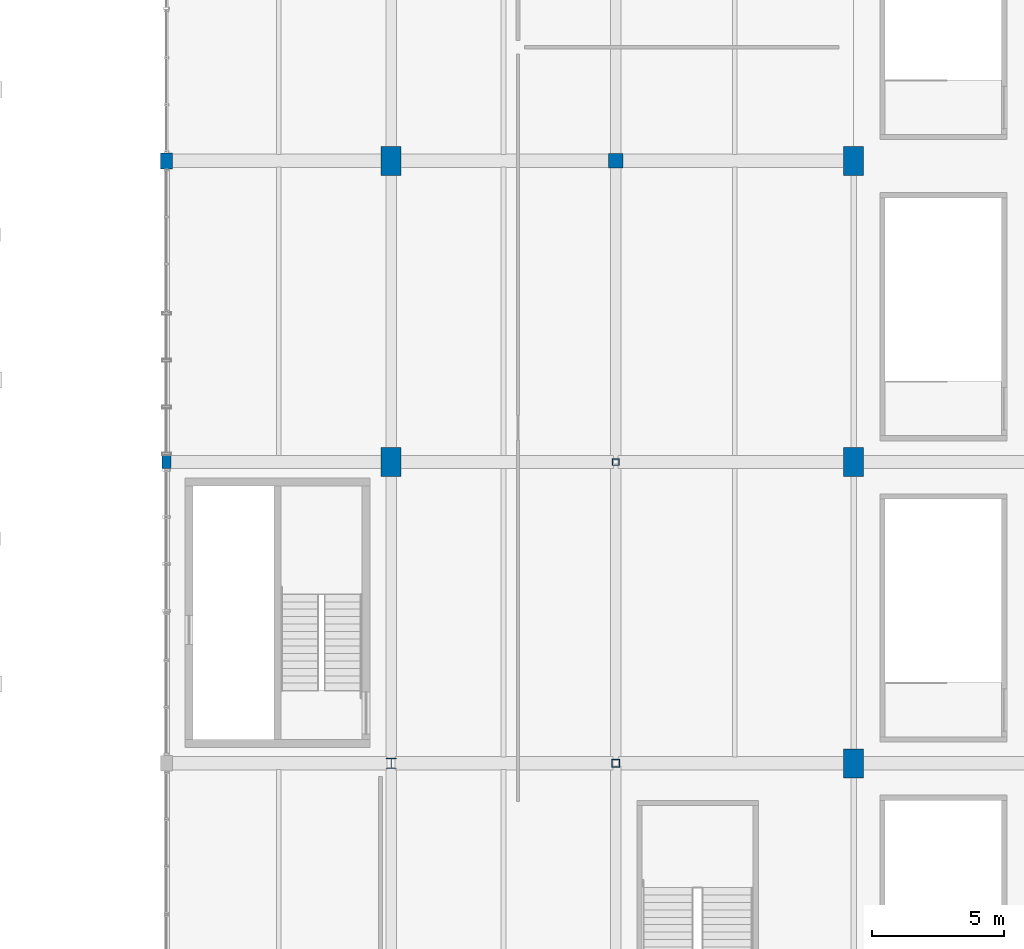
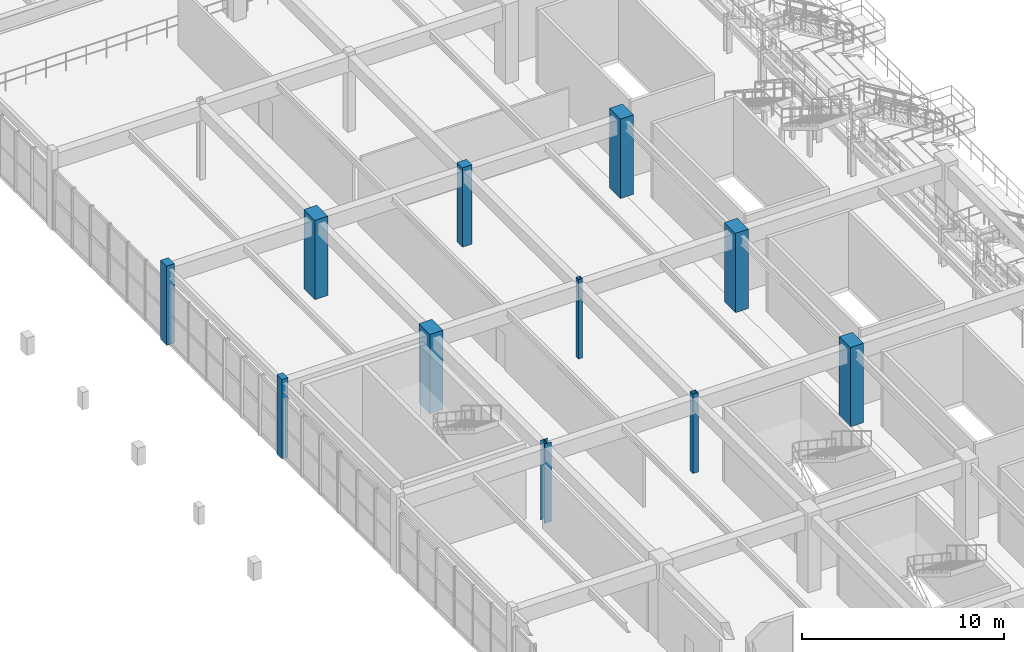
# One storey, part 6 of 106: 11 columns.
"""IFC4 building model written with IfcOpenShell, lengths in metres."""

import ifcopenshell
import ifcopenshell.guid

model = None  # the IFC model being written
_history = None  # IfcOwnerHistory: only IFC2X3 demands one
_inside = {}  # id of a spatial element -> (the spatial element, [elements in it])
_under = {}  # id of a project, library or spatial element -> (it, [spatial elements below it])
_declared = {}  # id of a project -> (the project, [libraries it declares])
_typed = {}  # id of a type object -> (the type object, [elements of that type])
_made_of = {}  # id of a material, layer set ... -> (it, [elements and type objects made of it])


def new_model(schema):
    """Start an empty IFC model of exactly this schema.

    Asked for "IFC4X3", IfcOpenShell would pick the latest addendum, in which some entities
    have other attributes; the version numbers below select the first issue.
    IFC2X3 requires an IfcOwnerHistory on every rooted entity: one is made here for all.
    """
    global model, _history
    if schema == "IFC4X3":
        model = ifcopenshell.file(schema_version=(4, 3, 0, 0))
    else:
        model = ifcopenshell.file(schema=schema)
    _inside.clear()
    _under.clear()
    _declared.clear()
    _typed.clear()
    _made_of.clear()
    _history = None
    if model.schema == "IFC2X3":
        org = make("IfcOrganization", Name="unknown")
        user = make(
            "IfcPersonAndOrganization",
            ThePerson=make("IfcPerson", FamilyName="unknown"),
            TheOrganization=org,
        )
        app = make(
            "IfcApplication",
            ApplicationDeveloper=org,
            Version="unknown",
            ApplicationFullName="unknown",
            ApplicationIdentifier="unknown",
        )
        _history = make(
            "IfcOwnerHistory",
            OwningUser=user,
            OwningApplication=app,
            ChangeAction="ADDED",
            CreationDate=0,
        )
    return model


def make(cls, **values):
    """One entity of the class cls with the attributes given. An attribute that is None is left unset."""
    return model.create_entity(
        cls, **{name: value for name, value in values.items() if value is not None}
    )


def rooted(cls, **values):
    """An entity with a GlobalId (a new one), such as an element, a storey or a relation."""
    return make(cls, GlobalId=ifcopenshell.guid.new(), OwnerHistory=_history, **values)


def si_unit(unit_type, name, prefix=None):
    """IfcSIUnit, for example si_unit("LENGTHUNIT", "METRE", prefix="MILLI")."""
    return make("IfcSIUnit", UnitType=unit_type, Prefix=prefix, Name=name)


def assignment(units):
    """IfcUnitAssignment: the units of a project."""
    return None if units is None else make("IfcUnitAssignment", Units=units)


def point(xyz):
    """IfcCartesianPoint."""
    return None if xyz is None else make("IfcCartesianPoint", Coordinates=xyz)


def direction(xyz):
    """IfcDirection."""
    return None if xyz is None else make("IfcDirection", DirectionRatios=xyz)


def frame(location, z_axis=None, x_axis=None):
    """IfcAxis2Placement3D, a coordinate frame: its origin and axes. An axis left out is left unset."""
    return make(
        "IfcAxis2Placement3D",
        Location=point(location),
        Axis=direction(z_axis),
        RefDirection=direction(x_axis),
    )


def frame_2d(location, x_axis=None):
    """IfcAxis2Placement2D, a coordinate frame in the plane: its origin and x axis."""
    return make(
        "IfcAxis2Placement2D", Location=point(location), RefDirection=direction(x_axis)
    )


def origin():
    """The frame at (0, 0, 0) with its axes left unset."""
    return frame((0.0, 0.0, 0.0))


def origin_2d():
    """The frame at (0, 0) in the plane with its x axis left unset."""
    return frame_2d((0.0, 0.0))


def place(relative_to, where):
    """IfcLocalPlacement: puts the frame where relative to a parent placement (None: the world)."""
    return make(
        "IfcLocalPlacement", PlacementRelTo=relative_to, RelativePlacement=where
    )


def context(
    kind, dimensions, precision=None, world=None, true_north=None, identifier=None
):
    """IfcGeometricRepresentationContext, for example the 3D "Model" context."""
    return make(
        "IfcGeometricRepresentationContext",
        ContextIdentifier=identifier,
        ContextType=kind,
        CoordinateSpaceDimension=dimensions,
        Precision=precision,
        WorldCoordinateSystem=world,
        TrueNorth=true_north,
    )


def subcontext(parent, identifier, kind, view, scale=None):
    """IfcGeometricRepresentationSubContext, for example "Body" below "Model"."""
    return make(
        "IfcGeometricRepresentationSubContext",
        ContextIdentifier=identifier,
        ContextType=kind,
        ParentContext=parent,
        TargetScale=scale,
        TargetView=view,
    )


def project(units=None, contexts=None):
    """IfcProject with its units and contexts."""
    return rooted(
        "IfcProject",
        Name="project",
        RepresentationContexts=contexts,
        UnitsInContext=assignment(units),
    )


def spatial(cls, under=None, at=None, **own):
    """A site, building, storey or space (cls), placed at a placement, below another one or the project."""
    s = rooted(cls, ObjectPlacement=at, **own)
    if under is not None:
        _under.setdefault(under.id(), (under, []))[1].append(s)
    return s


def profile(cls, at=None, kind="AREA", **sizes):
    """A parametric profile (cls). Its sizes go by their IFC names, for example OverallWidth=200.0."""
    return make(cls, ProfileType=kind, Position=at, **sizes)


def rectangle(**sizes):
    """IfcRectangleProfileDef."""
    return profile("IfcRectangleProfileDef", **sizes)


def hollow_rectangle(**sizes):
    """IfcRectangleHollowProfileDef."""
    return profile("IfcRectangleHollowProfileDef", **sizes)


def i_section(**sizes):
    """IfcIShapeProfileDef."""
    return profile("IfcIShapeProfileDef", **sizes)


def extrude(swept, where, along, depth):
    """IfcExtrudedAreaSolid: the profile swept, set in the frame where, extruded along a direction by depth."""
    return make(
        "IfcExtrudedAreaSolid",
        SweptArea=swept,
        Position=where,
        ExtrudedDirection=direction(along),
        Depth=depth,
    )


def shape(context_of_items, identifier, shape_type, items):
    """IfcShapeRepresentation: the items that make up one representation, for example the "Body"."""
    return make(
        "IfcShapeRepresentation",
        ContextOfItems=context_of_items,
        RepresentationIdentifier=identifier,
        RepresentationType=shape_type,
        Items=items,
    )


def material(Name=None, Category=None):
    """IfcMaterial."""
    return make("IfcMaterial", Name=Name, Category=Category)


def material_profile(
    of_material, cross_section, Name=None, Category=None, Priority=None
):
    """IfcMaterialProfile: a cross section and its material."""
    return make(
        "IfcMaterialProfile",
        Name=Name,
        Material=of_material,
        Profile=cross_section,
        Priority=Priority,
        Category=Category,
    )


def profile_set(profiles, Name=None, composite=None):
    """IfcMaterialProfileSet."""
    return make(
        "IfcMaterialProfileSet",
        Name=Name,
        MaterialProfiles=profiles,
        CompositeProfile=composite,
    )


def made_of(thing, what):
    """Note that an element or type object is made of a material, layer set ...; save() writes the relation."""
    if what is not None:
        _made_of.setdefault(what.id(), (what, []))[1].append(thing)
    return thing


def type_object(cls, material=None, **own):
    """A type object (cls), such as IfcWallType, which elements share."""
    return made_of(rooted(cls, **own), material)


def element(
    cls,
    number,
    at=None,
    inside=None,
    cuts=None,
    type_object=None,
    material=None,
    context=None,
    identifier="Body",
    shape_type=None,
    held_by="IfcProductDefinitionShape",
    body=None,
    shapes=None,
    **own,
):
    """One element of the class cls, such as IfcWall. Its Tag is "e" and its number.

    at: its placement. inside: the storey or other place that contains it. cuts: it is an
    opening in that element (IfcRelVoidsElement). A single representation is given by context,
    identifier, shape_type and body (its items); several are given by shapes. held_by: the class
    of the entity that holds the representations. save() writes the other relations.
    """
    e = rooted(cls, Tag="e%d" % number, ObjectPlacement=at, **own)
    if body is not None:
        shapes = [shape(context, identifier, shape_type, body)]
    if shapes is not None:
        e.Representation = make(held_by, Representations=shapes)
    if inside is not None:
        _inside.setdefault(inside.id(), (inside, []))[1].append(e)
    if cuts is not None:
        rooted(
            "IfcRelVoidsElement", RelatingBuildingElement=cuts, RelatedOpeningElement=e
        )
    if type_object is not None:
        _typed.setdefault(type_object.id(), (type_object, []))[1].append(e)
    return made_of(e, material)


def aggregate(whole, parts):
    """IfcRelAggregates: a whole, such as a stair, and the parts it consists of."""
    return rooted("IfcRelAggregates", RelatingObject=whole, RelatedObjects=parts)


def save(model, path):
    """Write the relations noted so far, then the file.

    IfcRelAggregates (storeys below a building ...), IfcRelContainedInSpatialStructure (elements
    in a storey), IfcRelDefinesByType, IfcRelAssociatesMaterial and IfcRelDeclares: one each for
    every whole, place, type object, material and project.
    """
    for whole, parts in _under.values():
        aggregate(whole, parts)
    for where, things in _inside.values():
        rooted(
            "IfcRelContainedInSpatialStructure",
            RelatedElements=things,
            RelatingStructure=where,
        )
    for kind, things in _typed.values():
        rooted("IfcRelDefinesByType", RelatedObjects=things, RelatingType=kind)
    for what, things in _made_of.values():
        rooted("IfcRelAssociatesMaterial", RelatedObjects=things, RelatingMaterial=what)
    for by, libraries in _declared.values():
        rooted("IfcRelDeclares", RelatingContext=by, RelatedDefinitions=libraries)
    model.write(path)


model = new_model("IFC4")

# Units and contexts
model_context = context("Model", 3, precision=1e-05, world=origin(), true_north=direction((0.0, 1.0)))
body_context = subcontext(model_context, "Body", "Model", "MODEL_VIEW")
ifc_project = project(units=[si_unit("LENGTHUNIT", "METRE"), si_unit("AREAUNIT", "SQUARE_METRE"), si_unit("VOLUMEUNIT", "CUBIC_METRE"), si_unit("PLANEANGLEUNIT", "RADIAN"), si_unit("MASSUNIT", "GRAM", prefix="KILO"), si_unit("POWERUNIT", "WATT"), si_unit("THERMODYNAMICTEMPERATUREUNIT", "KELVIN")], contexts=[model_context])

# Site, building, storey
site_placement = place(None, origin())
site = spatial("IfcSite", under=ifc_project, at=site_placement, CompositionType="ELEMENT")
building_placement = place(site_placement, origin())
building = spatial("IfcBuilding", under=site, at=building_placement, Name="Kelmbourne Parkland Aquatics Centre", CompositionType="ELEMENT")
storey_placement = place(building_placement, frame((0.0, 0.0, 5.39990234375)))
storey = spatial("IfcBuildingStorey", under=building, at=storey_placement, Name="L01", CompositionType="ELEMENT", Elevation=5.39990234375)

# Columns
ifc_material_1 = material(Name="Concrete C40/50", Category="concrete")
ifc_material_profile_1 = material_profile(ifc_material_1, rectangle(XDim=0.75, YDim=1.10009765625, at=origin_2d()), Name="RC 750x1100")
ifc_profile_set_1 = profile_set([ifc_material_profile_1], Name="Concrete C40/50")
column_type_1 = type_object("IfcColumnType", Name="COL-C03", PredefinedType="COLUMN", material=ifc_profile_set_1)
for number, where, z_axis, x_axis, name in (
    (1, (110.5, 46.39990234375, 0.0), (0.0, 0.0, 1.0), (1.0, 0.0, 0.0), "Structural column N-06 (L01)"),
    (2, (110.5, 57.800048828125, 0.0), (0.0, 0.0, 1.0), (1.0, 0.0, 0.0), "Structural column N-08 (L01)"),
    (3, (128.0, 35.0, 0.0), (0.0, 0.0, 1.0), (1.0, 0.0, 0.0), "Structural column P-05 (L01)"),
    (4, (128.0, 46.39990234375, 0.0), (0.0, 0.0, 1.0), (1.0, 0.0, 0.0), "Structural column P-06 (L01)"),
    (5, (128.0, 57.800048828125, 0.0), (0.0, 0.0, 1.0), (1.0, 0.0, 0.0), "Structural column P-08 (L01)"),
):
    element("IfcColumn", number, at=place(storey_placement, frame(where, z_axis=z_axis, x_axis=x_axis)), inside=storey, type_object=column_type_1, Name=name, PredefinedType="COLUMN", context=body_context, shape_type="SweptSolid", body=[
        extrude(rectangle(XDim=0.75, YDim=1.10009765625, at=origin_2d()), origin(), (0.0, 0.0, 1.0), 4.800048828125),
    ])
ifc_material_profile_2 = material_profile(ifc_material_1, rectangle(XDim=0.550048828125, YDim=0.550048828125, at=origin_2d()), Name="RC 550x550")
ifc_profile_set_2 = profile_set([ifc_material_profile_2], Name="Concrete C40/50")
column_type_2 = type_object("IfcColumnType", Name="COL-C07", PredefinedType="COLUMN", material=ifc_profile_set_2)
column_1_placement = place(storey_placement, frame((119.0, 57.800048828125, 0.0), z_axis=(0.0, 0.0, 1.0), x_axis=(1.0, 0.0, 0.0)))
element("IfcColumn", 6, at=column_1_placement, inside=storey, type_object=column_type_2, Name="Structural column O-08 (L01)", PredefinedType="COLUMN", context=body_context, shape_type="SweptSolid", body=[
    extrude(rectangle(XDim=0.550048828125, YDim=0.550048828125, at=origin_2d()), origin(), (0.0, 0.0, 1.0), 4.800048828125),
])
ifc_material_2 = material(Name="Welded plate steel AS/NZS 3678 Grade 350", Category="steel")
ifc_material_profile_3 = material_profile(ifc_material_2, i_section(OverallWidth=0.39990234375, OverallDepth=0.404052734375, WebThickness=0.02001953125, FlangeThickness=0.031982421875, at=origin_2d()), Name="400WC270")
ifc_profile_set_3 = profile_set([ifc_material_profile_3], Name="Welded plate steel AS/NZS 3678 Grade 350")
column_type_3 = type_object("IfcColumnType", Name="COL-C12", PredefinedType="COLUMN", material=ifc_profile_set_3)
column_2_placement = place(storey_placement, frame((110.5, 35.0, 0.0), z_axis=(0.0, 0.0, 1.0), x_axis=(1.0, 0.0, 0.0)))
element("IfcColumn", 7, at=column_2_placement, inside=storey, type_object=column_type_3, Name="Structural column N-05 (L01)", PredefinedType="COLUMN", context=body_context, shape_type="SweptSolid", body=[
    extrude(i_section(OverallWidth=0.39990234375, OverallDepth=0.404052734375, WebThickness=0.02001953125, FlangeThickness=0.031982421875, at=origin_2d()), origin(), (0.0, 0.0, 1.0), 4.800048828125),
])
ifc_material_3 = material(Name="Cold-formed hollow steel AS/NZS 1163 C350L0", Category="steel")
ifc_material_profile_4 = material_profile(ifc_material_3, hollow_rectangle(XDim=0.300048828125, YDim=0.300048828125, WallThickness=0.012451171875, at=origin_2d()), Name="SHS 300x300x12.5")
ifc_profile_set_4 = profile_set([ifc_material_profile_4], Name="Cold-formed hollow steel AS/NZS 1163 C350L0")
column_type_4 = type_object("IfcColumnType", Name="COL-C22", PredefinedType="COLUMN", material=ifc_profile_set_4)
column_3_placement = place(storey_placement, frame((119.0, 35.0, 0.0), z_axis=(0.0, 0.0, 1.0), x_axis=(1.0, 0.0, 0.0)))
element("IfcColumn", 8, at=column_3_placement, inside=storey, type_object=column_type_4, Name="Structural column O-05 (L01)", PredefinedType="COLUMN", context=body_context, shape_type="SweptSolid", body=[
    extrude(hollow_rectangle(XDim=0.300048828125, YDim=0.300048828125, WallThickness=0.012451171875, at=origin_2d()), origin(), (0.0, 0.0, 1.0), 4.800048828125),
])
ifc_material_profile_5 = material_profile(ifc_material_3, hollow_rectangle(XDim=0.25, YDim=0.25, WallThickness=0.012451171875, at=origin_2d()), Name="SHS 250x250x12.5")
ifc_profile_set_5 = profile_set([ifc_material_profile_5], Name="Cold-formed hollow steel AS/NZS 1163 C350L0")
column_type_5 = type_object("IfcColumnType", Name="COL-C23", PredefinedType="COLUMN", material=ifc_profile_set_5)
column_4_placement = place(storey_placement, frame((119.0, 46.39990234375, 0.0), z_axis=(0.0, 0.0, 1.0), x_axis=(1.0, 0.0, 0.0)))
element("IfcColumn", 9, at=column_4_placement, inside=storey, type_object=column_type_5, Name="Structural column O-06 (L01)", PredefinedType="COLUMN", context=body_context, shape_type="SweptSolid", body=[
    extrude(hollow_rectangle(XDim=0.25, YDim=0.25, WallThickness=0.012451171875, at=origin_2d()), origin(), (0.0, 0.0, 1.0), 4.800048828125),
])
ifc_material_4 = material(Name="Clay brick masonry AS 3700 M12", Category="masonry")
ifc_material_profile_6 = material_profile(ifc_material_4, rectangle(XDim=0.35009765625, YDim=0.5, at=origin_2d()), Name="PIL 350x500")
ifc_profile_set_6 = profile_set([ifc_material_profile_6], Name="Clay brick masonry AS 3700 M12")
column_type_6 = type_object("IfcColumnType", Name="PIL-PL1", PredefinedType="PILASTER", material=ifc_profile_set_6)
column_5_placement = place(storey_placement, frame((102.0, 46.39990234375, 0.0), z_axis=(0.0, 0.0, 1.0), x_axis=(1.0, 0.0, 0.0)))
element("IfcColumn", 10, at=column_5_placement, inside=storey, type_object=column_type_6, Name="Engaged brick pilaster M-06 (L01)", PredefinedType="PILASTER", context=body_context, shape_type="SweptSolid", body=[
    extrude(rectangle(XDim=0.35009765625, YDim=0.5, at=origin_2d()), origin(), (0.0, 0.0, 1.0), 4.800048828125),
])
ifc_material_profile_7 = material_profile(ifc_material_4, rectangle(XDim=0.449951171875, YDim=0.60009765625, at=origin_2d()), Name="PIL 450x600")
ifc_profile_set_7 = profile_set([ifc_material_profile_7], Name="Clay brick masonry AS 3700 M12")
column_type_7 = type_object("IfcColumnType", Name="PIL-PL2", PredefinedType="PILASTER", material=ifc_profile_set_7)
column_6_placement = place(storey_placement, frame((102.0, 57.800048828125, 0.0), z_axis=(0.0, 0.0, 1.0), x_axis=(1.0, 0.0, 0.0)))
element("IfcColumn", 11, at=column_6_placement, inside=storey, type_object=column_type_7, Name="Engaged brick pilaster M-08 (L01)", PredefinedType="PILASTER", context=body_context, shape_type="SweptSolid", body=[
    extrude(rectangle(XDim=0.449951171875, YDim=0.60009765625, at=origin_2d()), origin(), (0.0, 0.0, 1.0), 4.800048828125),
])

save(model, "model.ifc")
